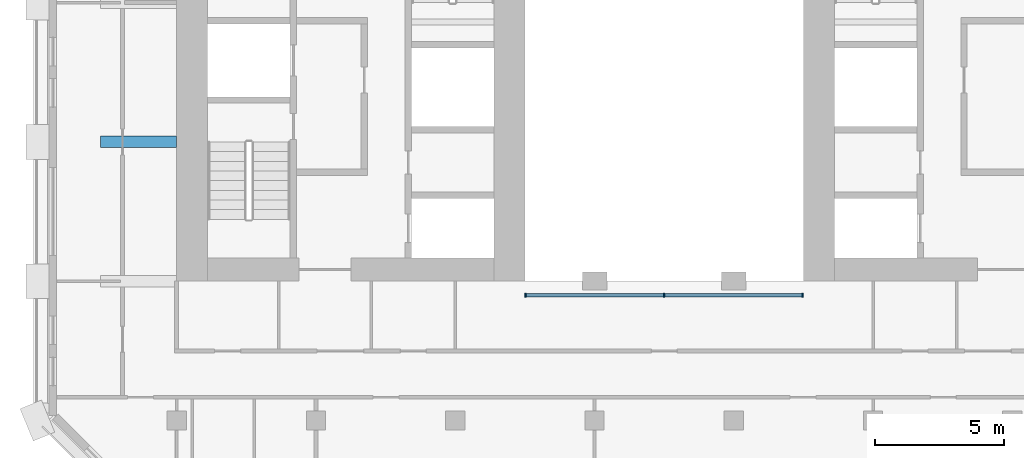
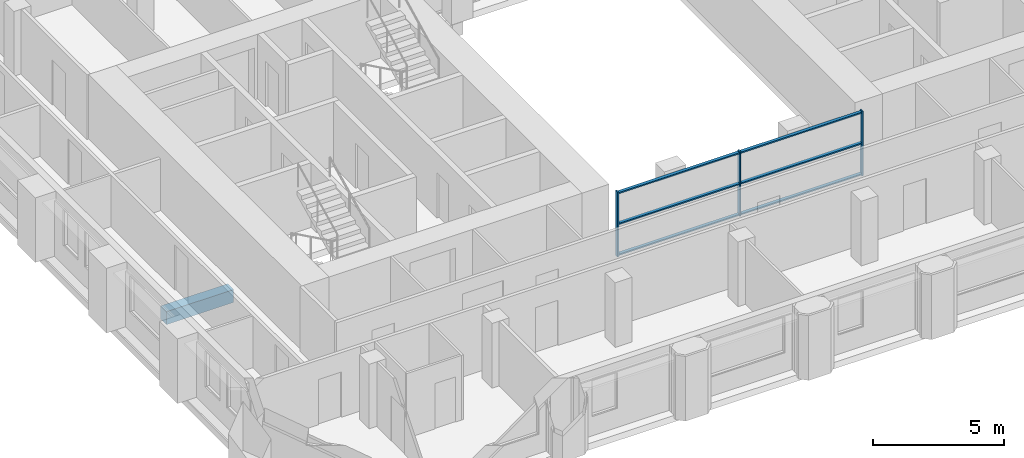
# One storey, part 2 of 14: 9 members, 1 beam, 1 element without a shape of its own.
"""IFC4 building model written with IfcOpenShell, lengths in metres."""

from ifc_helpers import new_model, si_unit, direction, frame, origin, origin_2d, place, context, subcontext, project, spatial, rectangle, extrude, material, material_profile, profile_set, type_object, element, aggregate, save


model = new_model("IFC4")

# Units and contexts
model_context = context("Model", 3, precision=1e-05, world=origin(), true_north=direction((0.0, 1.0)))
body_context = subcontext(model_context, "Body", "Model", "MODEL_VIEW")
ifc_project = project(units=[si_unit("LENGTHUNIT", "METRE"), si_unit("AREAUNIT", "SQUARE_METRE"), si_unit("VOLUMEUNIT", "CUBIC_METRE"), si_unit("PLANEANGLEUNIT", "RADIAN"), si_unit("MASSUNIT", "GRAM", prefix="KILO")], contexts=[model_context])

# Site, building, storey
site_placement = place(None, origin())
site = spatial("IfcSite", under=ifc_project, at=site_placement, CompositionType="ELEMENT")
building_placement = place(site_placement, origin())
building = spatial("IfcBuilding", under=site, at=building_placement, Name="Tabaq Tower and Sports Hall", CompositionType="ELEMENT")
storey_placement = place(building_placement, frame((0.0, 0.0, 226.89990234375)))
storey = spatial("IfcBuildingStorey", under=building, at=storey_placement, Name="L57", CompositionType="ELEMENT", Elevation=226.89990234375)

# Curtain wall, members
ifc_material_1 = material(Name="Aluminium alloy 6063-T6 framed glazing", Category="aluminium")
curtain_wall_type = type_object("IfcCurtainWallType", Name="CW1 curtain wall", PredefinedType="USERDEFINED", material=ifc_material_1)
curtain_wall_placement = place(storey_placement, origin())
curtain_wall = element("IfcCurtainWall", 1, at=curtain_wall_placement, inside=storey, type_object=curtain_wall_type, Name="Atrium glazing L57 S", ObjectType="ATRIUM ENCLOSURE", PredefinedType="USERDEFINED")
ifc_material_2 = material(Name="Aluminium alloy 6063-T6", Category="aluminium")
ifc_material_profile_1 = material_profile(ifc_material_2, rectangle(XDim=0.159912109375, YDim=0.06005859375, at=origin_2d()), Name="MULLION 160x60")
ifc_profile_set_1 = profile_set([ifc_material_profile_1], Name="Aluminium alloy 6063-T6")
member_type_1 = type_object("IfcMemberType", Name="CW1 mullion 160x60", PredefinedType="MULLION", material=ifc_profile_set_1)
member_1_placement = place(storey_placement, frame((18.929931640625, 15.64990234375, 0.0), z_axis=(0.0, 0.0, 1.0), x_axis=(0.0, 1.0, 0.0)))
member_1 = element("IfcMember", 2, at=member_1_placement, type_object=member_type_1, Name="CW1 mullion 1", PredefinedType="MULLION", context=body_context, shape_type="SweptSolid", body=[
    extrude(rectangle(XDim=0.159912109375, YDim=0.06005859375, at=origin_2d()), origin(), (0.0, 0.0, 1.0), 3.0),
])
member_2_placement = place(storey_placement, frame((24.300048828125, 15.64990234375, 0.0), z_axis=(0.0, 0.0, 1.0), x_axis=(0.0, 1.0, 0.0)))
member_2 = element("IfcMember", 3, at=member_2_placement, type_object=member_type_1, Name="CW1 mullion 2", PredefinedType="MULLION", context=body_context, shape_type="SweptSolid", body=[
    extrude(rectangle(XDim=0.159912109375, YDim=0.06005859375, at=origin_2d()), origin(), (0.0, 0.0, 1.0), 3.0),
])
member_3_placement = place(storey_placement, frame((29.669921875, 15.64990234375, 0.0), z_axis=(0.0, 0.0, 1.0), x_axis=(0.0, 1.0, 0.0)))
member_3 = element("IfcMember", 4, at=member_3_placement, type_object=member_type_1, Name="CW1 mullion 3", PredefinedType="MULLION", context=body_context, shape_type="SweptSolid", body=[
    extrude(rectangle(XDim=0.159912109375, YDim=0.06005859375, at=origin_2d()), origin(), (0.0, 0.0, 1.0), 3.0),
])
ifc_material_3 = material(Name="Aluminium alloy 6063-T6", Category="aluminium")
ifc_material_profile_2 = material_profile(ifc_material_3, rectangle(XDim=0.139892578125, YDim=0.06005859375, at=origin_2d()), Name="TRANSOM 140x60")
ifc_profile_set_2 = profile_set([ifc_material_profile_2], Name="Aluminium alloy 6063-T6")
member_type_2 = type_object("IfcMemberType", Name="CW1 transom 140x60", PredefinedType="USERDEFINED", material=ifc_profile_set_2)
member_4_placement = place(storey_placement, frame((18.9599609375, 15.64990234375, 0.070068359375), z_axis=(1.0, 0.0, 0.0), x_axis=(0.0, 1.0, 0.0)))
member_4 = element("IfcMember", 5, at=member_4_placement, type_object=member_type_2, Name="CW1 transom 1.1", ObjectType="TRANSOM", PredefinedType="USERDEFINED", context=body_context, shape_type="SweptSolid", body=[
    extrude(rectangle(XDim=0.139892578125, YDim=0.06005859375, at=origin_2d()), origin(), (0.0, 0.0, 1.0), 5.31005859375),
])
member_5_placement = place(storey_placement, frame((18.9599609375, 15.64990234375, 1.5), z_axis=(1.0, 0.0, 0.0), x_axis=(0.0, 1.0, 0.0)))
member_5 = element("IfcMember", 6, at=member_5_placement, type_object=member_type_2, Name="CW1 transom 1.2", ObjectType="TRANSOM", PredefinedType="USERDEFINED", context=body_context, shape_type="SweptSolid", body=[
    extrude(rectangle(XDim=0.139892578125, YDim=0.06005859375, at=origin_2d()), origin(), (0.0, 0.0, 1.0), 5.31005859375),
])
member_6_placement = place(storey_placement, frame((18.9599609375, 15.64990234375, 2.93017578125), z_axis=(1.0, 0.0, 0.0), x_axis=(0.0, 1.0, 0.0)))
member_6 = element("IfcMember", 7, at=member_6_placement, type_object=member_type_2, Name="CW1 transom 1.3", ObjectType="TRANSOM", PredefinedType="USERDEFINED", context=body_context, shape_type="SweptSolid", body=[
    extrude(rectangle(XDim=0.139892578125, YDim=0.06005859375, at=origin_2d()), origin(), (0.0, 0.0, 1.0), 5.31005859375),
])
member_7_placement = place(storey_placement, frame((24.330078125, 15.64990234375, 0.070068359375), z_axis=(1.0, 0.0, 0.0), x_axis=(0.0, 1.0, 0.0)))
member_7 = element("IfcMember", 8, at=member_7_placement, type_object=member_type_2, Name="CW1 transom 2.1", ObjectType="TRANSOM", PredefinedType="USERDEFINED", context=body_context, shape_type="SweptSolid", body=[
    extrude(rectangle(XDim=0.139892578125, YDim=0.06005859375, at=origin_2d()), origin(), (0.0, 0.0, 1.0), 5.309814453125),
])
member_8_placement = place(storey_placement, frame((24.330078125, 15.64990234375, 1.5), z_axis=(1.0, 0.0, 0.0), x_axis=(0.0, 1.0, 0.0)))
member_8 = element("IfcMember", 9, at=member_8_placement, type_object=member_type_2, Name="CW1 transom 2.2", ObjectType="TRANSOM", PredefinedType="USERDEFINED", context=body_context, shape_type="SweptSolid", body=[
    extrude(rectangle(XDim=0.139892578125, YDim=0.06005859375, at=origin_2d()), origin(), (0.0, 0.0, 1.0), 5.309814453125),
])
member_9_placement = place(storey_placement, frame((24.330078125, 15.64990234375, 2.93017578125), z_axis=(1.0, 0.0, 0.0), x_axis=(0.0, 1.0, 0.0)))
member_9 = element("IfcMember", 10, at=member_9_placement, type_object=member_type_2, Name="CW1 transom 2.3", ObjectType="TRANSOM", PredefinedType="USERDEFINED", context=body_context, shape_type="SweptSolid", body=[
    extrude(rectangle(XDim=0.139892578125, YDim=0.06005859375, at=origin_2d()), origin(), (0.0, 0.0, 1.0), 5.309814453125),
])
aggregate(curtain_wall, [member_1, member_2, member_3, member_4, member_5, member_6, member_7, member_8, member_9])

# Beam
ifc_material_4 = material(Name="Concrete C40/50", Category="concrete")
ifc_material_profile_3 = material_profile(ifc_material_4, rectangle(XDim=0.449951171875, YDim=0.60009765625, at=origin_2d()), Name="CB 450x600")
ifc_profile_set_3 = profile_set([ifc_material_profile_3], Name="Concrete C40/50")
beam_type = type_object("IfcBeamType", Name="PT CANTILEVER BEAM CB 450x600 C40/50", PredefinedType="BEAM", material=ifc_profile_set_3)
beam_placement = place(storey_placement, frame((2.449951171875, 21.60009765625, -0.599853515625), z_axis=(1.0, 0.0, 0.0), x_axis=(0.0, 1.0, 0.0)))
element("IfcBeam", 11, at=beam_placement, inside=storey, type_object=beam_type, Name="Cantilever Beam L57 W4 span 1", PredefinedType="BEAM", context=body_context, shape_type="SweptSolid", body=[
    extrude(rectangle(XDim=0.449951171875, YDim=0.60009765625, at=origin_2d()), origin(), (0.0, 0.0, 1.0), 2.949951171875),
])

save(model, "model.ifc")
